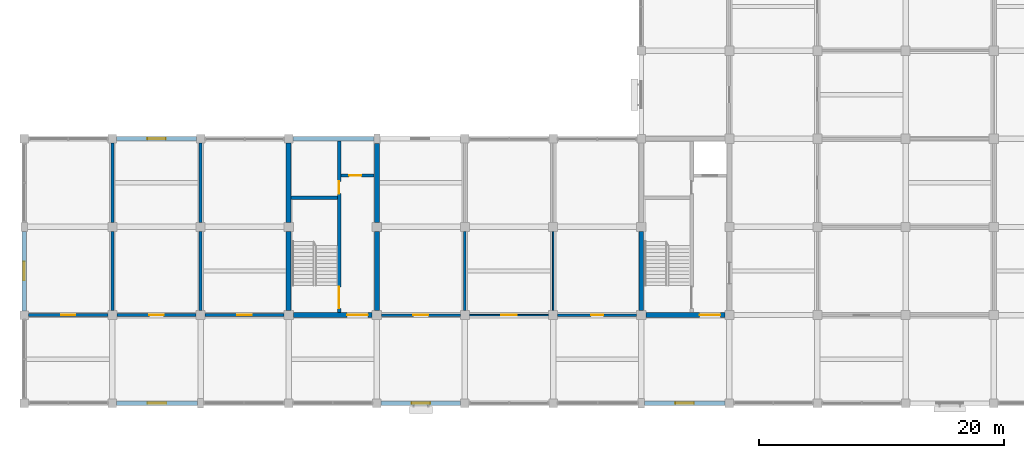
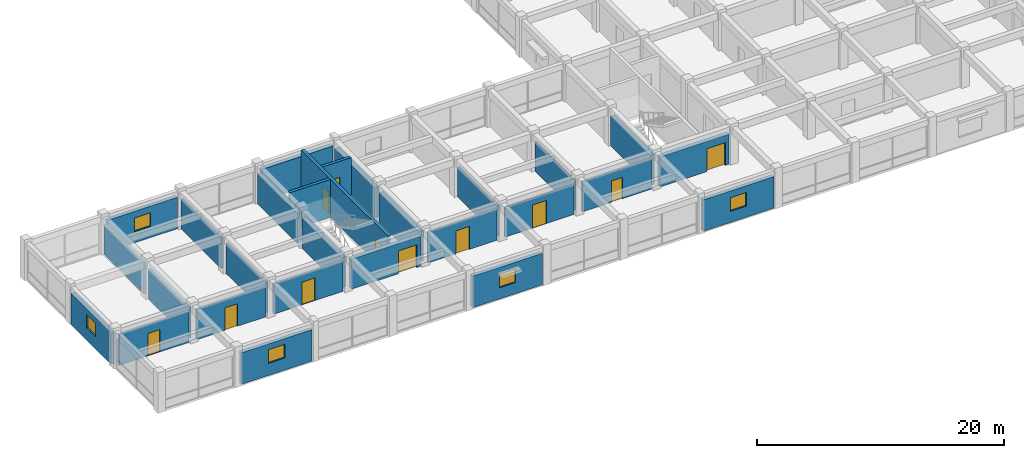
# One storey, part 13 of 25: 28 walls, 11 doors, 5 windows, 16 openings.
"""IFC4 building model written with IfcOpenShell, lengths in metres."""

from ifc_helpers import new_model, si_unit, direction, frame, frame_2d, origin, place, context, subcontext, project, spatial, rectangle, extrude, material, layer, layer_set, type_object, element, fill, save


model = new_model("IFC4")

# Units and contexts
model_context = context("Model", 3, precision=1e-05, world=origin(), true_north=direction((0.0, 1.0)))
body_context = subcontext(model_context, "Body", "Model", "MODEL_VIEW")
ifc_project = project(units=[si_unit("LENGTHUNIT", "METRE"), si_unit("AREAUNIT", "SQUARE_METRE"), si_unit("VOLUMEUNIT", "CUBIC_METRE"), si_unit("PLANEANGLEUNIT", "RADIAN"), si_unit("MASSUNIT", "GRAM", prefix="KILO")], contexts=[model_context])

# Site, building, storey
site_placement = place(None, origin())
site = spatial("IfcSite", under=ifc_project, at=site_placement, CompositionType="ELEMENT")
building_placement = place(site_placement, origin())
building = spatial("IfcBuilding", under=site, at=building_placement, Name="Cendaluz Park School", CompositionType="ELEMENT")
storey_placement = place(building_placement, frame((0.0, 0.0, 18.60009765625)))
storey = spatial("IfcBuildingStorey", under=building, at=storey_placement, Name="L04", CompositionType="ELEMENT", Elevation=18.60009765625)

# Wall, opening, door
ifc_material_1 = material(Name="Gypsum Plasterboard on Cold-Formed Stud", Category="gypsum")
ifc_layer_1 = layer(ifc_material_1, 0.199951171875)
ifc_layer_set_1 = layer_set([ifc_layer_1], Name="Gypsum Plasterboard on Cold-Formed Stud")
wall_type_1 = type_object("IfcWallType", Name="W-AC20", PredefinedType="PARTITIONING", material=ifc_layer_set_1)
wall_1_placement = place(storey_placement, frame((43.574951171875, 14.39990234375, 0.0), z_axis=(0.0, 0.0, 1.0), x_axis=(1.0, 0.0, 0.0)))
wall_1 = element("IfcWall", 1, at=wall_1_placement, inside=storey, type_object=wall_type_1, Name="WL-FE-BN1", PredefinedType="PARTITIONING", context=body_context, shape_type="SweptSolid", body=[
    extrude(rectangle(XDim=6.449951171875, YDim=0.199951171875, at=frame_2d((3.22509765625, 0.0))), origin(), (0.0, 0.0, 1.0), 3.039794921875),
])
opening_1_placement = place(wall_1_placement, frame((2.60498046875, 0.0, 0.0)))
opening_1 = element("IfcOpeningElement", 2, at=opening_1_placement, cuts=wall_1, Name="Opening DCL-09", PredefinedType="OPENING", context=body_context, shape_type="SweptSolid", body=[
    extrude(rectangle(XDim=1.239990234375, YDim=2.260009765625, at=frame_2d((0.6201171875, 1.1298828125))), frame((0.0, 0.112060546875, 0.0), z_axis=(0.0, -1.0, 0.0), x_axis=(1.0, 0.0, 0.0)), (0.0, 0.0, 1.0), 0.223876953125),
])
ifc_material_2 = material(Name="Solid Core Hardwood", Category="wood")
door_type_1 = type_object("IfcDoorType", Name="DCL-09", OperationType="NOTDEFINED", PredefinedType="DOOR", material=ifc_material_2)
door_1_placement = place(opening_1_placement, origin())
door_1 = element("IfcDoor", 3, at=door_1_placement, inside=storey, type_object=door_type_1, Name="D-L04-030", OperationType="SINGLE_SWING_RIGHT", OverallHeight=2.260009765625, OverallWidth=1.239990234375, PredefinedType="DOOR", context=body_context, shape_type="SweptSolid", body=[
    extrude(rectangle(XDim=1.239990234375, YDim=2.260009765625, at=frame_2d((0.6201171875, 1.1298828125))), frame((0.0, 0.02490234375, 0.0), z_axis=(0.0, -1.0, 0.0), x_axis=(1.0, 0.0, 0.0)), (0.0, 0.0, 1.0), 0.050048828125),
])
fill(opening_1, door_1)

# Wall
wall_2_placement = place(storey_placement, frame((50.39990234375, 14.77490234375, 0.0), z_axis=(0.0, 0.0, 1.0), x_axis=(0.0, 1.0, 0.0)))
element("IfcWall", 4, at=wall_2_placement, inside=storey, type_object=wall_type_1, Name="WL-FE-BN2", PredefinedType="PARTITIONING", context=body_context, shape_type="SweptSolid", body=[
    extrude(rectangle(XDim=6.4501953125, YDim=0.199951171875, at=frame_2d((3.22509765625, 0.0))), origin(), (0.0, 0.0, 1.0), 2.969970703125),
])

# Wall, opening, door
wall_3_placement = place(storey_placement, frame((57.97509765625, 14.39990234375, 0.0), z_axis=(0.0, 0.0, 1.0), x_axis=(1.0, 0.0, 0.0)))
wall_3 = element("IfcWall", 5, at=wall_3_placement, inside=storey, type_object=wall_type_1, Name="WL-FE-BN7", PredefinedType="PARTITIONING", context=body_context, shape_type="SweptSolid", body=[
    extrude(rectangle(XDim=6.449951171875, YDim=0.199951171875, at=frame_2d((3.22509765625, 0.0))), origin(), (0.0, 0.0, 1.0), 2.969970703125),
])
opening_2_placement = place(wall_3_placement, frame((2.72509765625, 0.0, 0.0)))
opening_2 = element("IfcOpeningElement", 6, at=opening_2_placement, cuts=wall_3, Name="Opening DCL-01", PredefinedType="OPENING", context=body_context, shape_type="SweptSolid", body=[
    extrude(rectangle(XDim=1.0, YDim=2.10009765625, at=frame_2d((0.5, 1.050048828125))), frame((0.0, 0.112060546875, 0.0), z_axis=(0.0, -1.0, 0.0), x_axis=(1.0, 0.0, 0.0)), (0.0, 0.0, 1.0), 0.223876953125),
])
door_type_2 = type_object("IfcDoorType", Name="DCL-01", OperationType="NOTDEFINED", PredefinedType="DOOR", material=ifc_material_2)
door_2_placement = place(opening_2_placement, origin())
door_2 = element("IfcDoor", 7, at=door_2_placement, inside=storey, type_object=door_type_2, Name="D-L04-032", OperationType="SINGLE_SWING_RIGHT", OverallHeight=2.10009765625, OverallWidth=1.0, PredefinedType="DOOR", context=body_context, shape_type="SweptSolid", body=[
    extrude(rectangle(XDim=1.0, YDim=2.10009765625, at=frame_2d((0.5, 1.050048828125))), frame((0.0, 0.02490234375, 0.0), z_axis=(0.0, -1.0, 0.0), x_axis=(1.0, 0.0, 0.0)), (0.0, 0.0, 1.0), 0.050048828125),
])
fill(opening_2, door_2)

# Wall, opening, window
ifc_material_3 = material(Name="Concrete C40/50 precast", Category="concrete")
ifc_layer_2 = layer(ifc_material_3, 0.340087890625)
ifc_layer_set_2 = layer_set([ifc_layer_2], Name="Concrete C40/50 precast")
wall_type_2 = type_object("IfcWallType", Name="W-EX34", PredefinedType="SOLIDWALL", material=ifc_layer_set_2)
wall_4_placement = place(storey_placement, frame((14.39990234375, 14.75, 0.0), z_axis=(0.0, 0.0, 1.0), x_axis=(0.0, 1.0, 0.0)))
wall_4 = element("IfcWall", 8, at=wall_4_placement, inside=storey, type_object=wall_type_2, Name="WL-FE-AA0", PredefinedType="SOLIDWALL", context=body_context, shape_type="SweptSolid", body=[
    extrude(rectangle(XDim=6.47509765625, YDim=0.340087890625, at=frame_2d((3.237548828125, 0.0))), origin(), (0.0, 0.0, 1.0), 3.10986328125),
])
opening_3_placement = place(wall_4_placement, frame((2.487548828125, 0.0, 1.199951171875)))
opening_3 = element("IfcOpeningElement", 9, at=opening_3_placement, cuts=wall_4, Name="Opening WN-20", PredefinedType="OPENING", context=body_context, shape_type="SweptSolid", body=[
    extrude(rectangle(XDim=1.5, YDim=1.35009765625, at=frame_2d((0.75, 0.675048828125))), frame((0.0, 0.18212890625, 0.0), z_axis=(0.0, -1.0, 0.0), x_axis=(1.0, 0.0, 0.0)), (0.0, 0.0, 1.0), 0.364013671875),
])
ifc_material_4 = material(Name="Tempered Low-E Double Glazing", Category="glass")
window_type = type_object("IfcWindowType", Name="WN-20", PartitioningType="SINGLE_PANEL", PredefinedType="WINDOW", material=ifc_material_4)
window_1_placement = place(opening_3_placement, origin())
window_1 = element("IfcWindow", 10, at=window_1_placement, inside=storey, type_object=window_type, Name="WN-L04-001", OverallHeight=1.35009765625, OverallWidth=1.5, PartitioningType="SINGLE_PANEL", PredefinedType="WINDOW", context=body_context, shape_type="SweptSolid", body=[
    extrude(rectangle(XDim=1.5, YDim=1.35009765625, at=frame_2d((0.75, 0.675048828125))), frame((0.0, 0.030029296875, 0.0), z_axis=(0.0, -1.0, 0.0), x_axis=(1.0, 0.0, 0.0)), (0.0, 0.0, 1.0), 0.06005859375),
])
fill(opening_3, window_1)

wall_5_placement = place(storey_placement, frame((21.949951171875, 7.199951171875, 0.0), z_axis=(0.0, 0.0, 1.0), x_axis=(1.0, 0.0, 0.0)))
wall_5 = element("IfcWall", 11, at=wall_5_placement, inside=storey, type_object=wall_type_2, Name="WL-FE-AA1", PredefinedType="SOLIDWALL", context=body_context, shape_type="SweptSolid", body=[
    extrude(rectangle(XDim=6.60009765625, YDim=0.340087890625, at=frame_2d((3.300048828125, 0.0))), origin(), (0.0, 0.0, 1.0), 3.10986328125),
])
opening_4_placement = place(wall_5_placement, frame((2.550048828125, 0.0, 1.199951171875)))
opening_4 = element("IfcOpeningElement", 12, at=opening_4_placement, cuts=wall_5, Name="Opening WN-20", PredefinedType="OPENING", context=body_context, shape_type="SweptSolid", body=[
    extrude(rectangle(XDim=1.5, YDim=1.35009765625, at=frame_2d((0.75, 0.675048828125))), frame((0.0, 0.18212890625, 0.0), z_axis=(0.0, -1.0, 0.0), x_axis=(1.0, 0.0, 0.0)), (0.0, 0.0, 1.0), 0.364013671875),
])
window_2_placement = place(opening_4_placement, origin())
window_2 = element("IfcWindow", 13, at=window_2_placement, inside=storey, type_object=window_type, Name="WN-L04-002", OverallHeight=1.35009765625, OverallWidth=1.5, PartitioningType="SINGLE_PANEL", PredefinedType="WINDOW", context=body_context, shape_type="SweptSolid", body=[
    extrude(rectangle(XDim=1.5, YDim=1.35009765625, at=frame_2d((0.75, 0.675048828125))), frame((0.0, 0.030029296875, 0.0), z_axis=(0.0, -1.0, 0.0), x_axis=(1.0, 0.0, 0.0)), (0.0, 0.0, 1.0), 0.06005859375),
])
fill(opening_4, window_2)

wall_6_placement = place(storey_placement, frame((21.949951171875, 28.800048828125, 0.0), z_axis=(0.0, 0.0, 1.0), x_axis=(1.0, 0.0, 0.0)))
wall_6 = element("IfcWall", 14, at=wall_6_placement, inside=storey, type_object=wall_type_2, Name="WL-FE-AA2", PredefinedType="SOLIDWALL", context=body_context, shape_type="SweptSolid", body=[
    extrude(rectangle(XDim=6.5, YDim=0.340087890625, at=frame_2d((3.25, 0.0))), origin(), (0.0, 0.0, 1.0), 3.10986328125),
])
opening_5_placement = place(wall_6_placement, frame((2.5, 0.0, 1.10009765625)))
opening_5 = element("IfcOpeningElement", 15, at=opening_5_placement, cuts=wall_6, Name="Opening WN-20", PredefinedType="OPENING", context=body_context, shape_type="SweptSolid", body=[
    extrude(rectangle(XDim=1.5, YDim=1.35009765625, at=frame_2d((0.75, 0.675048828125))), frame((0.0, 0.18212890625, 0.0), z_axis=(0.0, -1.0, 0.0), x_axis=(1.0, 0.0, 0.0)), (0.0, 0.0, 1.0), 0.364013671875),
])
window_3_placement = place(opening_5_placement, origin())
window_3 = element("IfcWindow", 16, at=window_3_placement, inside=storey, type_object=window_type, Name="WN-L04-003", OverallHeight=1.35009765625, OverallWidth=1.5, PartitioningType="SINGLE_PANEL", PredefinedType="WINDOW", context=body_context, shape_type="SweptSolid", body=[
    extrude(rectangle(XDim=1.5, YDim=1.35009765625, at=frame_2d((0.75, 0.675048828125))), frame((0.0, 0.030029296875, 0.0), z_axis=(0.0, -1.0, 0.0), x_axis=(1.0, 0.0, 0.0)), (0.0, 0.0, 1.0), 0.06005859375),
])
fill(opening_5, window_3)

wall_7_placement = place(storey_placement, frame((43.550048828125, 7.199951171875, 0.0), z_axis=(0.0, 0.0, 1.0), x_axis=(1.0, 0.0, 0.0)))
wall_7 = element("IfcWall", 17, at=wall_7_placement, inside=storey, type_object=wall_type_2, Name="WL-FE-AA3", PredefinedType="SOLIDWALL", context=body_context, shape_type="SweptSolid", body=[
    extrude(rectangle(XDim=6.5, YDim=0.340087890625, at=frame_2d((3.25, 0.0))), origin(), (0.0, 0.0, 1.0), 3.10986328125),
])
opening_6_placement = place(wall_7_placement, frame((2.5, 0.0, 1.10009765625)))
opening_6 = element("IfcOpeningElement", 18, at=opening_6_placement, cuts=wall_7, Name="Opening WN-20", PredefinedType="OPENING", context=body_context, shape_type="SweptSolid", body=[
    extrude(rectangle(XDim=1.5, YDim=1.35009765625, at=frame_2d((0.75, 0.675048828125))), frame((0.0, 0.18212890625, 0.0), z_axis=(0.0, -1.0, 0.0), x_axis=(1.0, 0.0, 0.0)), (0.0, 0.0, 1.0), 0.364013671875),
])
window_4_placement = place(opening_6_placement, origin())
window_4 = element("IfcWindow", 19, at=window_4_placement, inside=storey, type_object=window_type, Name="WN-L04-004", OverallHeight=1.35009765625, OverallWidth=1.5, PartitioningType="SINGLE_PANEL", PredefinedType="WINDOW", context=body_context, shape_type="SweptSolid", body=[
    extrude(rectangle(XDim=1.5, YDim=1.35009765625, at=frame_2d((0.75, 0.675048828125))), frame((0.0, 0.030029296875, 0.0), z_axis=(0.0, -1.0, 0.0), x_axis=(1.0, 0.0, 0.0)), (0.0, 0.0, 1.0), 0.06005859375),
])
fill(opening_6, window_4)

wall_8_placement = place(storey_placement, frame((65.050048828125, 7.199951171875, 0.0), z_axis=(0.0, 0.0, 1.0), x_axis=(1.0, 0.0, 0.0)))
wall_8 = element("IfcWall", 20, at=wall_8_placement, inside=storey, type_object=wall_type_2, Name="WL-FE-AA5", PredefinedType="SOLIDWALL", context=body_context, shape_type="SweptSolid", body=[
    extrude(rectangle(XDim=6.599853515625, YDim=0.340087890625, at=frame_2d((3.2998046875, 0.0))), origin(), (0.0, 0.0, 1.0), 3.10986328125),
])
opening_7_placement = place(wall_8_placement, frame((2.550048828125, 0.0, 1.10009765625)))
opening_7 = element("IfcOpeningElement", 21, at=opening_7_placement, cuts=wall_8, Name="Opening WN-20", PredefinedType="OPENING", context=body_context, shape_type="SweptSolid", body=[
    extrude(rectangle(XDim=1.5, YDim=1.35009765625, at=frame_2d((0.75, 0.675048828125))), frame((0.0, 0.18212890625, 0.0), z_axis=(0.0, -1.0, 0.0), x_axis=(1.0, 0.0, 0.0)), (0.0, 0.0, 1.0), 0.364013671875),
])
window_5_placement = place(opening_7_placement, origin())
window_5 = element("IfcWindow", 22, at=window_5_placement, inside=storey, type_object=window_type, Name="WN-L04-006", OverallHeight=1.35009765625, OverallWidth=1.5, PartitioningType="SINGLE_PANEL", PredefinedType="WINDOW", context=body_context, shape_type="SweptSolid", body=[
    extrude(rectangle(XDim=1.5, YDim=1.35009765625, at=frame_2d((0.75, 0.675048828125))), frame((0.0, 0.030029296875, 0.0), z_axis=(0.0, -1.0, 0.0), x_axis=(1.0, 0.0, 0.0)), (0.0, 0.0, 1.0), 0.06005859375),
])
fill(opening_7, window_5)

# Wall, openings, doors
ifc_material_5 = material(Name="Concrete C40/50", Category="concrete")
ifc_layer_3 = layer(ifc_material_5, 0.280029296875)
ifc_layer_set_3 = layer_set([ifc_layer_3], Name="Concrete C40/50")
wall_type_3 = type_object("IfcWallType", Name="W-FW28", PredefinedType="SHEAR", material=ifc_layer_set_3)
wall_9_placement = place(storey_placement, frame((40.1201171875, 14.60009765625, 0.0), z_axis=(0.0, 0.0, 1.0), x_axis=(0.0, 1.0, 0.0)))
wall_9 = element("IfcWall", 23, at=wall_9_placement, inside=storey, type_object=wall_type_3, Name="WL-FE-BL2", PredefinedType="SHEAR", context=body_context, shape_type="SweptSolid", body=[
    extrude(rectangle(XDim=14.0, YDim=0.280029296875, at=frame_2d((7.0, 0.0))), origin(), (0.0, 0.0, 1.0), 3.739990234375),
])
opening_8_placement = place(wall_9_placement, frame((0.35009765625, 0.0, 0.0)))
opening_8 = element("IfcOpeningElement", 24, at=opening_8_placement, cuts=wall_9, Name="Opening DST-03", PredefinedType="OPENING", context=body_context, shape_type="SweptSolid", body=[
    extrude(rectangle(XDim=1.75, YDim=2.14990234375, at=frame_2d((0.875, 1.074951171875))), frame((0.0, 0.152099609375, 0.0), z_axis=(0.0, -1.0, 0.0), x_axis=(1.0, 0.0, 0.0)), (0.0, 0.0, 1.0), 0.303955078125),
])
opening_9_placement = place(wall_9_placement, frame((9.719970703125, 0.0, 0.0)))
opening_9 = element("IfcOpeningElement", 25, at=opening_9_placement, cuts=wall_9, Name="Opening DFC-01", PredefinedType="OPENING", context=body_context, shape_type="SweptSolid", body=[
    extrude(rectangle(XDim=1.0, YDim=2.14990234375, at=frame_2d((0.5, 1.074951171875))), frame((0.0, 0.152099609375, 0.0), z_axis=(0.0, -1.0, 0.0), x_axis=(1.0, 0.0, 0.0)), (0.0, 0.0, 1.0), 0.303955078125),
])
door_type_3 = type_object("IfcDoorType", Name="DFC-01", OperationType="NOTDEFINED", PredefinedType="DOOR", material=ifc_material_2)
door_3_placement = place(opening_9_placement, origin())
door_3 = element("IfcDoor", 26, at=door_3_placement, inside=storey, type_object=door_type_3, Name="D-L04-021", OperationType="SINGLE_SWING_LEFT", OverallHeight=2.14990234375, OverallWidth=1.0, PredefinedType="DOOR", context=body_context, shape_type="SweptSolid", body=[
    extrude(rectangle(XDim=1.0, YDim=2.14990234375, at=frame_2d((0.5, 1.074951171875))), frame((0.0, 0.02490234375, 0.0), z_axis=(0.0, -1.0, 0.0), x_axis=(1.0, 0.0, 0.0)), (0.0, 0.0, 1.0), 0.050048828125),
])
fill(opening_9, door_3)
door_type_4 = type_object("IfcDoorType", Name="DST-03", OperationType="DOUBLE_DOOR_SINGLE_SWING", PredefinedType="DOOR", material=ifc_material_2)
door_4_placement = place(opening_8_placement, origin())
door_4 = element("IfcDoor", 27, at=door_4_placement, inside=storey, type_object=door_type_4, Name="D-L04-020", OperationType="DOUBLE_DOOR_SINGLE_SWING", OverallHeight=2.14990234375, OverallWidth=1.75, PredefinedType="DOOR", context=body_context, shape_type="SweptSolid", body=[
    extrude(rectangle(XDim=1.75, YDim=2.14990234375, at=frame_2d((0.875, 1.074951171875))), frame((0.0, 0.02490234375, 0.0), z_axis=(0.0, -1.0, 0.0), x_axis=(1.0, 0.0, 0.0)), (0.0, 0.0, 1.0), 0.050048828125),
])
fill(opening_8, door_4)

# Wall
wall_10_placement = place(storey_placement, frame((36.199951171875, 23.97998046875, 0.0), z_axis=(0.0, 0.0, 1.0), x_axis=(1.0, 0.0, 0.0)))
element("IfcWall", 28, at=wall_10_placement, inside=storey, type_object=wall_type_3, Name="WL-FE-BL3", PredefinedType="SHEAR", context=body_context, shape_type="SweptSolid", body=[
    extrude(rectangle(XDim=3.780029296875, YDim=0.280029296875, at=frame_2d((1.89013671875, 0.0))), origin(), (0.0, 0.0, 1.0), 3.739990234375),
])

# Wall, opening, door
wall_11_placement = place(storey_placement, frame((40.280029296875, 25.800048828125, 0.0), z_axis=(0.0, 0.0, 1.0), x_axis=(1.0, 0.0, 0.0)))
wall_11 = element("IfcWall", 29, at=wall_11_placement, inside=storey, type_object=wall_type_3, Name="WL-FE-BL4", PredefinedType="SHEAR", context=body_context, shape_type="SweptSolid", body=[
    extrude(rectangle(XDim=2.679931640625, YDim=0.280029296875, at=frame_2d((1.33984375, 0.0))), origin(), (0.0, 0.0, 1.0), 3.739990234375),
])
opening_10_placement = place(wall_11_placement, frame((0.64990234375, 0.0, 0.0)))
opening_10 = element("IfcOpeningElement", 30, at=opening_10_placement, cuts=wall_11, Name="Opening DFC-01", PredefinedType="OPENING", context=body_context, shape_type="SweptSolid", body=[
    extrude(rectangle(XDim=1.0, YDim=2.14990234375, at=frame_2d((0.5, 1.074951171875))), frame((0.0, 0.152099609375, 0.0), z_axis=(0.0, -1.0, 0.0), x_axis=(1.0, 0.0, 0.0)), (0.0, 0.0, 1.0), 0.303955078125),
])
door_5_placement = place(opening_10_placement, frame((1.0, 0.0, 0.0), z_axis=(0.0, 0.0, 1.0), x_axis=(-1.0, 0.0, 0.0)))
door_5 = element("IfcDoor", 31, at=door_5_placement, inside=storey, type_object=door_type_3, Name="D-L04-022", OperationType="SINGLE_SWING_RIGHT", OverallHeight=2.14990234375, OverallWidth=1.0, PredefinedType="DOOR", context=body_context, shape_type="SweptSolid", body=[
    extrude(rectangle(XDim=1.0, YDim=2.14990234375, at=frame_2d((0.5, 1.074951171875))), frame((0.0, 0.02490234375, 0.0), z_axis=(0.0, -1.0, 0.0), x_axis=(1.0, 0.0, 0.0)), (0.0, 0.0, 1.0), 0.050048828125),
])
fill(opening_10, door_5)

ifc_layer_4 = layer(ifc_material_1, 0.219970703125)
ifc_layer_set_4 = layer_set([ifc_layer_4], Name="Gypsum Plasterboard on Cold-Formed Stud")
wall_type_4 = type_object("IfcWallType", Name="W-LB22", PredefinedType="PARTITIONING", material=ifc_layer_set_4)
wall_12_placement = place(storey_placement, frame((14.75, 14.39990234375, 0.0), z_axis=(0.0, 0.0, 1.0), x_axis=(1.0, 0.0, 0.0)))
wall_12 = element("IfcWall", 32, at=wall_12_placement, inside=storey, type_object=wall_type_4, Name="WL-FE-BM4", PredefinedType="PARTITIONING", context=body_context, shape_type="SweptSolid", body=[
    extrude(rectangle(XDim=6.47509765625, YDim=0.219970703125, at=frame_2d((3.237548828125, 0.0))), origin(), (0.0, 0.0, 1.0), 3.039794921875),
])
opening_11_placement = place(wall_12_placement, frame((2.677490234375, 0.0, 0.0)))
opening_11 = element("IfcOpeningElement", 33, at=opening_11_placement, cuts=wall_12, Name="Opening DCL-06", PredefinedType="OPENING", context=body_context, shape_type="SweptSolid", body=[
    extrude(rectangle(XDim=1.1201171875, YDim=2.199951171875, at=frame_2d((0.56005859375, 1.10009765625))), frame((0.0, 0.1220703125, 0.0), z_axis=(0.0, -1.0, 0.0), x_axis=(1.0, 0.0, 0.0)), (0.0, 0.0, 1.0), 0.243896484375),
])
door_type_5 = type_object("IfcDoorType", Name="DCL-06", OperationType="NOTDEFINED", PredefinedType="DOOR", material=ifc_material_2)
door_6_placement = place(opening_11_placement, frame((1.1201171875, 0.0, 0.0), z_axis=(0.0, 0.0, 1.0), x_axis=(-1.0, 0.0, 0.0)))
door_6 = element("IfcDoor", 34, at=door_6_placement, inside=storey, type_object=door_type_5, Name="D-L04-027", OperationType="SINGLE_SWING_LEFT", OverallHeight=2.199951171875, OverallWidth=1.1201171875, PredefinedType="DOOR", context=body_context, shape_type="SweptSolid", body=[
    extrude(rectangle(XDim=1.1201171875, YDim=2.199951171875, at=frame_2d((0.56005859375, 1.10009765625))), frame((0.0, 0.02490234375, 0.0), z_axis=(0.0, -1.0, 0.0), x_axis=(1.0, 0.0, 0.0)), (0.0, 0.0, 1.0), 0.050048828125),
])
fill(opening_11, door_6)

# Walls
wall_13_placement = place(storey_placement, frame((21.60009765625, 14.77490234375, 0.0), z_axis=(0.0, 0.0, 1.0), x_axis=(0.0, 1.0, 0.0)))
element("IfcWall", 35, at=wall_13_placement, inside=storey, type_object=wall_type_4, Name="WL-FE-BM5", PredefinedType="PARTITIONING", context=body_context, shape_type="SweptSolid", body=[
    extrude(rectangle(XDim=6.4501953125, YDim=0.219970703125, at=frame_2d((3.22509765625, 0.0))), origin(), (0.0, 0.0, 1.0), 2.969970703125),
])
wall_14_placement = place(storey_placement, frame((21.60009765625, 21.97509765625, 0.0), z_axis=(0.0, 0.0, 1.0), x_axis=(0.0, 1.0, 0.0)))
element("IfcWall", 36, at=wall_14_placement, inside=storey, type_object=wall_type_4, Name="WL-FE-BM6", PredefinedType="PARTITIONING", context=body_context, shape_type="SweptSolid", body=[
    extrude(rectangle(XDim=6.474853515625, YDim=0.219970703125, at=frame_2d((3.2373046875, 0.0))), origin(), (0.0, 0.0, 1.0), 2.969970703125),
])

# Wall, opening, door
wall_15_placement = place(storey_placement, frame((21.97509765625, 14.39990234375, 0.0), z_axis=(0.0, 0.0, 1.0), x_axis=(1.0, 0.0, 0.0)))
wall_15 = element("IfcWall", 37, at=wall_15_placement, inside=storey, type_object=wall_type_4, Name="WL-FE-BM7", PredefinedType="PARTITIONING", context=body_context, shape_type="SweptSolid", body=[
    extrude(rectangle(XDim=6.449951171875, YDim=0.219970703125, at=frame_2d((3.22509765625, 0.0))), origin(), (0.0, 0.0, 1.0), 2.969970703125),
])
opening_12_placement = place(wall_15_placement, frame((2.64501953125, 0.0, 0.0)))
opening_12 = element("IfcOpeningElement", 38, at=opening_12_placement, cuts=wall_15, Name="Opening DCL-07", PredefinedType="OPENING", context=body_context, shape_type="SweptSolid", body=[
    extrude(rectangle(XDim=1.159912109375, YDim=2.219970703125, at=frame_2d((0.580078125, 1.10986328125))), frame((0.0, 0.1220703125, 0.0), z_axis=(0.0, -1.0, 0.0), x_axis=(1.0, 0.0, 0.0)), (0.0, 0.0, 1.0), 0.243896484375),
])
door_type_6 = type_object("IfcDoorType", Name="DCL-07", OperationType="NOTDEFINED", PredefinedType="DOOR", material=ifc_material_2)
door_7_placement = place(opening_12_placement, frame((1.159912109375, 0.0, 0.0), z_axis=(0.0, 0.0, 1.0), x_axis=(-1.0, 0.0, 0.0)))
door_7 = element("IfcDoor", 39, at=door_7_placement, inside=storey, type_object=door_type_6, Name="D-L04-028", OperationType="SINGLE_SWING_RIGHT", OverallHeight=2.219970703125, OverallWidth=1.159912109375, PredefinedType="DOOR", context=body_context, shape_type="SweptSolid", body=[
    extrude(rectangle(XDim=1.159912109375, YDim=2.219970703125, at=frame_2d((0.580078125, 1.10986328125))), frame((0.0, 0.02490234375, 0.0), z_axis=(0.0, -1.0, 0.0), x_axis=(1.0, 0.0, 0.0)), (0.0, 0.0, 1.0), 0.050048828125),
])
fill(opening_12, door_7)

# Walls
wall_16_placement = place(storey_placement, frame((28.800048828125, 14.77490234375, 0.0), z_axis=(0.0, 0.0, 1.0), x_axis=(0.0, 1.0, 0.0)))
element("IfcWall", 40, at=wall_16_placement, inside=storey, type_object=wall_type_4, Name="WL-FE-BM8", PredefinedType="PARTITIONING", context=body_context, shape_type="SweptSolid", body=[
    extrude(rectangle(XDim=6.4501953125, YDim=0.219970703125, at=frame_2d((3.22509765625, 0.0))), origin(), (0.0, 0.0, 1.0), 2.969970703125),
])
wall_17_placement = place(storey_placement, frame((28.800048828125, 21.97509765625, 0.0), z_axis=(0.0, 0.0, 1.0), x_axis=(0.0, 1.0, 0.0)))
element("IfcWall", 41, at=wall_17_placement, inside=storey, type_object=wall_type_4, Name="WL-FE-BM9", PredefinedType="PARTITIONING", context=body_context, shape_type="SweptSolid", body=[
    extrude(rectangle(XDim=6.474853515625, YDim=0.219970703125, at=frame_2d((3.2373046875, 0.0))), origin(), (0.0, 0.0, 1.0), 2.969970703125),
])

# Wall, opening, door
wall_18_placement = place(storey_placement, frame((29.175048828125, 14.39990234375, 0.0), z_axis=(0.0, 0.0, 1.0), x_axis=(1.0, 0.0, 0.0)))
wall_18 = element("IfcWall", 42, at=wall_18_placement, inside=storey, type_object=wall_type_4, Name="WL-FE-BN0", PredefinedType="PARTITIONING", context=body_context, shape_type="SweptSolid", body=[
    extrude(rectangle(XDim=6.449951171875, YDim=0.219970703125, at=frame_2d((3.22509765625, 0.0))), origin(), (0.0, 0.0, 1.0), 2.969970703125),
])
opening_13_placement = place(wall_18_placement, frame((2.625, 0.0, 0.0)))
opening_13 = element("IfcOpeningElement", 43, at=opening_13_placement, cuts=wall_18, Name="Opening DCL-08", PredefinedType="OPENING", context=body_context, shape_type="SweptSolid", body=[
    extrude(rectangle(XDim=1.199951171875, YDim=2.239990234375, at=frame_2d((0.60009765625, 1.1201171875))), frame((0.0, 0.1220703125, 0.0), z_axis=(0.0, -1.0, 0.0), x_axis=(1.0, 0.0, 0.0)), (0.0, 0.0, 1.0), 0.243896484375),
])
door_type_7 = type_object("IfcDoorType", Name="DCL-08", OperationType="NOTDEFINED", PredefinedType="DOOR", material=ifc_material_2)
door_8_placement = place(opening_13_placement, frame((1.199951171875, 0.0, 0.0), z_axis=(0.0, 0.0, 1.0), x_axis=(-1.0, 0.0, 0.0)))
door_8 = element("IfcDoor", 44, at=door_8_placement, inside=storey, type_object=door_type_7, Name="D-L04-029", OperationType="SINGLE_SWING_LEFT", OverallHeight=2.239990234375, OverallWidth=1.199951171875, PredefinedType="DOOR", context=body_context, shape_type="SweptSolid", body=[
    extrude(rectangle(XDim=1.199951171875, YDim=2.239990234375, at=frame_2d((0.60009765625, 1.1201171875))), frame((0.0, 0.02490234375, 0.0), z_axis=(0.0, -1.0, 0.0), x_axis=(1.0, 0.0, 0.0)), (0.0, 0.0, 1.0), 0.050048828125),
])
fill(opening_13, door_8)

ifc_layer_5 = layer(ifc_material_1, 0.1201171875)
ifc_layer_set_5 = layer_set([ifc_layer_5], Name="Gypsum Plasterboard on Cold-Formed Stud")
wall_type_5 = type_object("IfcWallType", Name="W-MV12", PredefinedType="MOVABLE", material=ifc_layer_set_5)
wall_19_placement = place(storey_placement, frame((50.77490234375, 14.39990234375, 0.0), z_axis=(0.0, 0.0, 1.0), x_axis=(1.0, 0.0, 0.0)))
wall_19 = element("IfcWall", 45, at=wall_19_placement, inside=storey, type_object=wall_type_5, Name="WL-FE-BN4", PredefinedType="MOVABLE", context=body_context, shape_type="SweptSolid", body=[
    extrude(rectangle(XDim=6.4501953125, YDim=0.1201171875, at=frame_2d((3.22509765625, 0.0))), origin(), (0.0, 0.0, 1.0), 2.969970703125),
])
opening_14_placement = place(wall_19_placement, frame((2.5849609375, 0.0, 0.0)))
opening_14 = element("IfcOpeningElement", 46, at=opening_14_placement, cuts=wall_19, Name="Opening DCL-10", PredefinedType="OPENING", context=body_context, shape_type="SweptSolid", body=[
    extrude(rectangle(XDim=1.280029296875, YDim=2.280029296875, at=frame_2d((0.64013671875, 1.14013671875))), frame((0.0, 0.072021484375, 0.0), z_axis=(0.0, -1.0, 0.0), x_axis=(1.0, 0.0, 0.0)), (0.0, 0.0, 1.0), 0.14404296875),
])
door_type_8 = type_object("IfcDoorType", Name="DCL-10", OperationType="NOTDEFINED", PredefinedType="DOOR", material=ifc_material_2)
door_9_placement = place(opening_14_placement, origin())
door_9 = element("IfcDoor", 47, at=door_9_placement, inside=storey, type_object=door_type_8, Name="D-L04-031", OperationType="SINGLE_SWING_LEFT", OverallHeight=2.280029296875, OverallWidth=1.280029296875, PredefinedType="DOOR", context=body_context, shape_type="SweptSolid", body=[
    extrude(rectangle(XDim=1.280029296875, YDim=2.280029296875, at=frame_2d((0.64013671875, 1.14013671875))), frame((0.0, 0.02490234375, 0.0), z_axis=(0.0, -1.0, 0.0), x_axis=(1.0, 0.0, 0.0)), (0.0, 0.0, 1.0), 0.050048828125),
])
fill(opening_14, door_9)

# Walls
wall_20_placement = place(storey_placement, frame((57.60009765625, 14.77490234375, 0.0), z_axis=(0.0, 0.0, 1.0), x_axis=(0.0, 1.0, 0.0)))
element("IfcWall", 48, at=wall_20_placement, inside=storey, type_object=wall_type_5, Name="WL-FE-BN5", PredefinedType="MOVABLE", context=body_context, shape_type="SweptSolid", body=[
    extrude(rectangle(XDim=6.4501953125, YDim=0.1201171875, at=frame_2d((3.22509765625, 0.0))), origin(), (0.0, 0.0, 1.0), 2.969970703125),
])
ifc_layer_6 = layer(ifc_material_5, 0.39990234375)
ifc_layer_set_6 = layer_set([ifc_layer_6], Name="Concrete C40/50")
wall_type_6 = type_object("IfcWallType", Name="W-SH40", PredefinedType="SHEAR", material=ifc_layer_set_6)
wall_21_placement = place(storey_placement, frame((64.800048828125, 14.77490234375, 0.0), z_axis=(0.0, 0.0, 1.0), x_axis=(0.0, 1.0, 0.0)))
element("IfcWall", 49, at=wall_21_placement, inside=storey, type_object=wall_type_6, Name="WL-FE-BH0", PredefinedType="SHEAR", context=body_context, shape_type="SweptSolid", body=[
    extrude(rectangle(XDim=6.4501953125, YDim=0.39990234375, at=frame_2d((3.22509765625, 0.0))), origin(), (0.0, 0.0, 1.0), 2.969970703125),
])

# Wall, opening, door
wall_22_placement = place(storey_placement, frame((65.175048828125, 14.39990234375, 0.0), z_axis=(0.0, 0.0, 1.0), x_axis=(1.0, 0.0, 0.0)))
wall_22 = element("IfcWall", 50, at=wall_22_placement, inside=storey, type_object=wall_type_6, Name="WL-FE-BH4", PredefinedType="SHEAR", context=body_context, shape_type="SweptSolid", body=[
    extrude(rectangle(XDim=6.449951171875, YDim=0.39990234375, at=frame_2d((3.22509765625, 0.0))), origin(), (0.0, 0.0, 1.0), 2.969970703125),
])
opening_15_placement = place(wall_22_placement, frame((4.39501953125, 0.0, 0.0)))
opening_15 = element("IfcOpeningElement", 51, at=opening_15_placement, cuts=wall_22, Name="Opening DLB-02", PredefinedType="OPENING", context=body_context, shape_type="SweptSolid", body=[
    extrude(rectangle(XDim=1.699951171875, YDim=2.25, at=frame_2d((0.85009765625, 1.125))), frame((0.0, 0.2119140625, 0.0), z_axis=(0.0, -1.0, 0.0), x_axis=(1.0, 0.0, 0.0)), (0.0, 0.0, 1.0), 0.423828125),
])
door_type_9 = type_object("IfcDoorType", Name="DLB-02", OperationType="DOUBLE_DOOR_SINGLE_SWING", PredefinedType="DOOR", material=ifc_material_2)
door_10_placement = place(opening_15_placement, origin())
door_10 = element("IfcDoor", 52, at=door_10_placement, inside=storey, type_object=door_type_9, Name="D-L04-002", OperationType="DOUBLE_DOOR_SINGLE_SWING", OverallHeight=2.25, OverallWidth=1.699951171875, PredefinedType="DOOR", context=body_context, shape_type="SweptSolid", body=[
    extrude(rectangle(XDim=1.699951171875, YDim=2.25, at=frame_2d((0.85009765625, 1.125))), frame((0.0, 0.02490234375, 0.0), z_axis=(0.0, -1.0, 0.0), x_axis=(1.0, 0.0, 0.0)), (0.0, 0.0, 1.0), 0.050048828125),
])
fill(opening_15, door_10)

# Walls
wall_23_placement = place(storey_placement, frame((36.0, 14.77490234375, 0.0), z_axis=(0.0, 0.0, 1.0), x_axis=(0.0, 1.0, 0.0)))
element("IfcWall", 53, at=wall_23_placement, inside=storey, type_object=wall_type_6, Name="WL-FE-BK6", PredefinedType="SHEAR", context=body_context, shape_type="SweptSolid", body=[
    extrude(rectangle(XDim=6.4501953125, YDim=0.39990234375, at=frame_2d((3.22509765625, 0.0))), origin(), (0.0, 0.0, 1.0), 2.969970703125),
])
wall_24_placement = place(storey_placement, frame((36.0, 21.97509765625, 0.0), z_axis=(0.0, 0.0, 1.0), x_axis=(0.0, 1.0, 0.0)))
element("IfcWall", 54, at=wall_24_placement, inside=storey, type_object=wall_type_6, Name="WL-FE-BK7", PredefinedType="SHEAR", context=body_context, shape_type="SweptSolid", body=[
    extrude(rectangle(XDim=6.474853515625, YDim=0.39990234375, at=frame_2d((3.2373046875, 0.0))), origin(), (0.0, 0.0, 1.0), 2.969970703125),
])
wall_25_placement = place(storey_placement, frame((43.199951171875, 14.77490234375, 0.0), z_axis=(0.0, 0.0, 1.0), x_axis=(0.0, 1.0, 0.0)))
element("IfcWall", 55, at=wall_25_placement, inside=storey, type_object=wall_type_6, Name="WL-FE-BK8", PredefinedType="SHEAR", context=body_context, shape_type="SweptSolid", body=[
    extrude(rectangle(XDim=6.4501953125, YDim=0.39990234375, at=frame_2d((3.22509765625, 0.0))), origin(), (0.0, 0.0, 1.0), 2.969970703125),
])
wall_26_placement = place(storey_placement, frame((43.199951171875, 21.97509765625, 0.0), z_axis=(0.0, 0.0, 1.0), x_axis=(0.0, 1.0, 0.0)))
element("IfcWall", 56, at=wall_26_placement, inside=storey, type_object=wall_type_6, Name="WL-FE-BK9", PredefinedType="SHEAR", context=body_context, shape_type="SweptSolid", body=[
    extrude(rectangle(XDim=6.449951171875, YDim=0.39990234375, at=frame_2d((3.22509765625, 0.0))), origin(), (0.0, 0.0, 1.0), 2.969970703125),
])

# Wall, opening, door
wall_27_placement = place(storey_placement, frame((36.375, 14.39990234375, 0.0), z_axis=(0.0, 0.0, 1.0), x_axis=(1.0, 0.0, 0.0)))
wall_27 = element("IfcWall", 57, at=wall_27_placement, inside=storey, type_object=wall_type_6, Name="WL-FE-BL0", PredefinedType="SHEAR", context=body_context, shape_type="SweptSolid", body=[
    extrude(rectangle(XDim=6.449951171875, YDim=0.39990234375, at=frame_2d((3.22509765625, 0.0))), origin(), (0.0, 0.0, 1.0), 2.969970703125),
])
opening_16_placement = place(wall_27_placement, frame((4.39501953125, 0.0, 0.0)))
opening_16 = element("IfcOpeningElement", 58, at=opening_16_placement, cuts=wall_27, Name="Opening DLB-02", PredefinedType="OPENING", context=body_context, shape_type="SweptSolid", body=[
    extrude(rectangle(XDim=1.699951171875, YDim=2.25, at=frame_2d((0.85009765625, 1.125))), frame((0.0, 0.2119140625, 0.0), z_axis=(0.0, -1.0, 0.0), x_axis=(1.0, 0.0, 0.0)), (0.0, 0.0, 1.0), 0.423828125),
])
door_11_placement = place(opening_16_placement, origin())
door_11 = element("IfcDoor", 59, at=door_11_placement, inside=storey, type_object=door_type_9, Name="D-L04-019", OperationType="DOUBLE_DOOR_SINGLE_SWING", OverallHeight=2.25, OverallWidth=1.699951171875, PredefinedType="DOOR", context=body_context, shape_type="SweptSolid", body=[
    extrude(rectangle(XDim=1.699951171875, YDim=2.25, at=frame_2d((0.85009765625, 1.125))), frame((0.0, 0.02490234375, 0.0), z_axis=(0.0, -1.0, 0.0), x_axis=(1.0, 0.0, 0.0)), (0.0, 0.0, 1.0), 0.050048828125),
])
fill(opening_16, door_11)

# Wall
wall_28_placement = place(storey_placement, frame((36.35009765625, 28.800048828125, 0.0), z_axis=(0.0, 0.0, 1.0), x_axis=(1.0, 0.0, 0.0)))
element("IfcWall", 60, at=wall_28_placement, inside=storey, type_object=wall_type_6, Name="WL-FE-BL1", PredefinedType="SHEAR", context=body_context, shape_type="SweptSolid", body=[
    extrude(rectangle(XDim=6.599853515625, YDim=0.39990234375, at=frame_2d((3.2998046875, 0.0))), origin(), (0.0, 0.0, 1.0), 3.10986328125),
])

save(model, "model.ifc")
